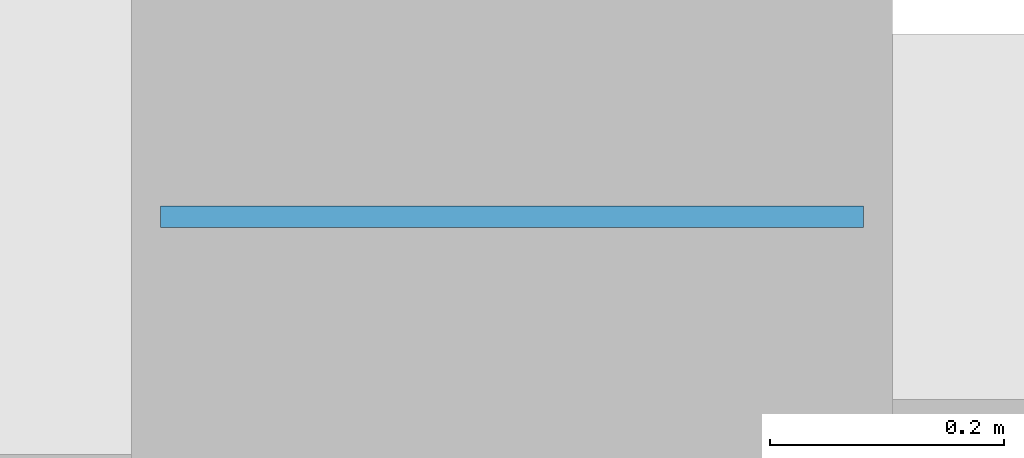
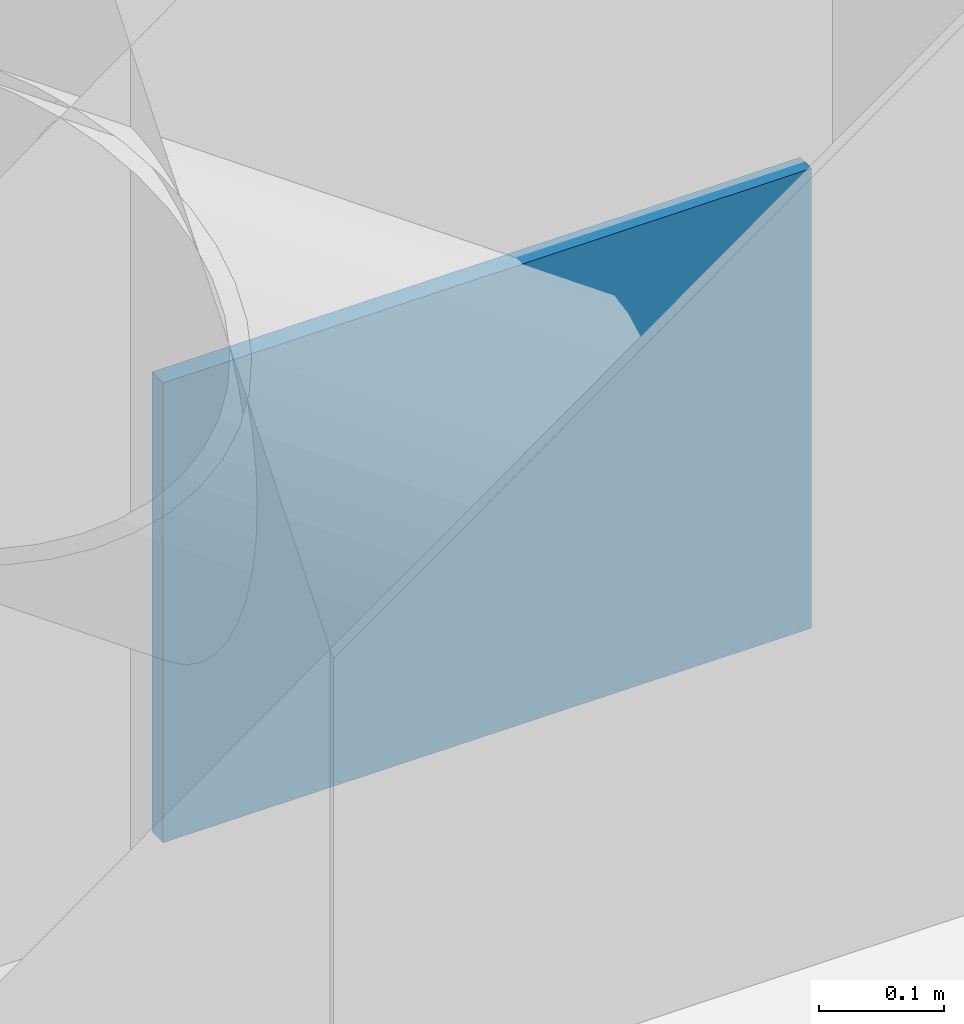
# One storey, part 107 of 130: 1 plate.
"""IFC4 building model written with IfcOpenShell, lengths in metres."""

from ifc_helpers import new_model, si_unit, direction, frame, origin, origin_2d, place, context, subcontext, project, spatial, rectangle, extrude, material, layer, layer_set, type_object, element, save


model = new_model("IFC4")

# Units and contexts
model_context = context("Model", 3, precision=1e-05, world=origin(), true_north=direction((0.0, 1.0)))
body_context = subcontext(model_context, "Body", "Model", "MODEL_VIEW")
ifc_project = project(units=[si_unit("LENGTHUNIT", "METRE"), si_unit("AREAUNIT", "SQUARE_METRE"), si_unit("VOLUMEUNIT", "CUBIC_METRE"), si_unit("PLANEANGLEUNIT", "RADIAN"), si_unit("MASSUNIT", "GRAM", prefix="KILO")], contexts=[model_context])

# Site, building, storey
site_placement = place(None, origin())
site = spatial("IfcSite", under=ifc_project, at=site_placement, CompositionType="ELEMENT")
building_placement = place(site_placement, origin())
building = spatial("IfcBuilding", under=site, at=building_placement, Name="Miravela Opera House", CompositionType="ELEMENT")
storey_placement = place(building_placement, frame((0.0, 0.0, 9.52001953125)))
storey = spatial("IfcBuildingStorey", under=building, at=storey_placement, Name="L02", CompositionType="ELEMENT", Elevation=9.52001953125)

# Plate
ifc_material = material(Name="Structural steel ASTM A572 Gr. 50", Category="steel")
ifc_layer = layer(ifc_material, 0.01806640625)
ifc_layer_set = layer_set([ifc_layer])
plate_type = type_object("IfcPlateType", Name="STR-PL-GUS-600X450X18", PredefinedType="USERDEFINED", material=ifc_layer_set)
plate_placement = place(storey_placement, frame((135.0, 112.0, 0.0751953125), z_axis=(0.0, 0.0, 1.0), x_axis=(1.0, 0.0, 0.0)))
element("IfcPlate", 1, at=plate_placement, inside=storey, type_object=plate_type, Name="Brace Wall Cast-In Embed Plate 353", ObjectType="GUSSET PLATE", PredefinedType="USERDEFINED", context=body_context, shape_type="SweptSolid", body=[
    extrude(rectangle(XDim=0.60009765625, YDim=0.01806640625, at=origin_2d()), origin(), (0.0, 0.0, 1.0), 0.449951171875),
])

save(model, "model.ifc")
